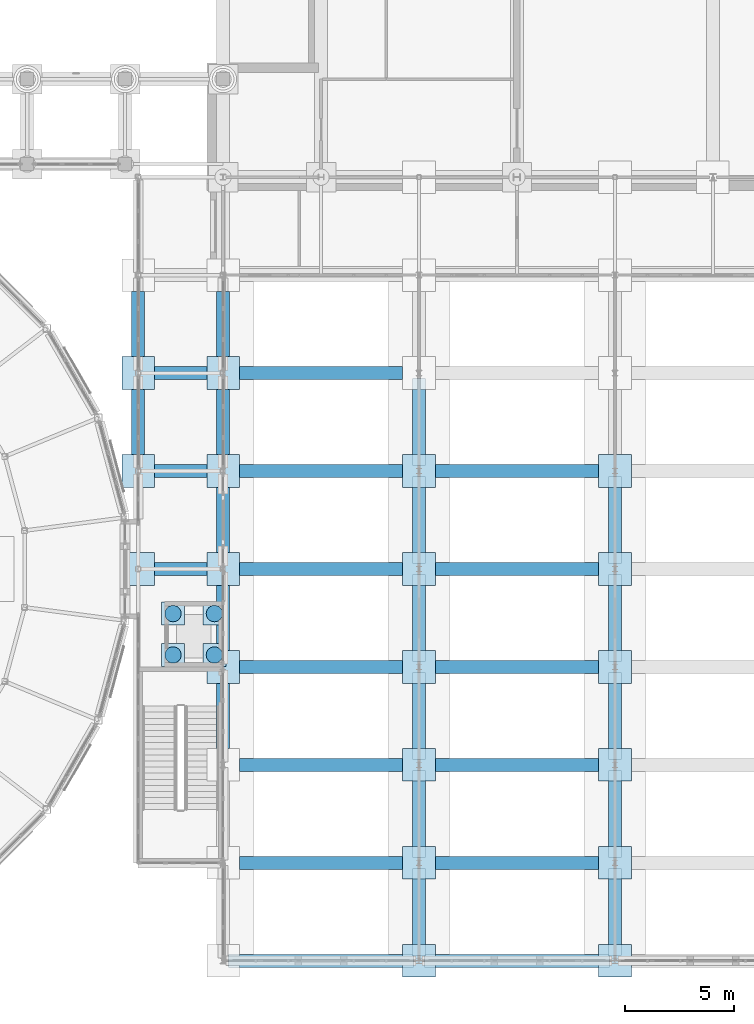
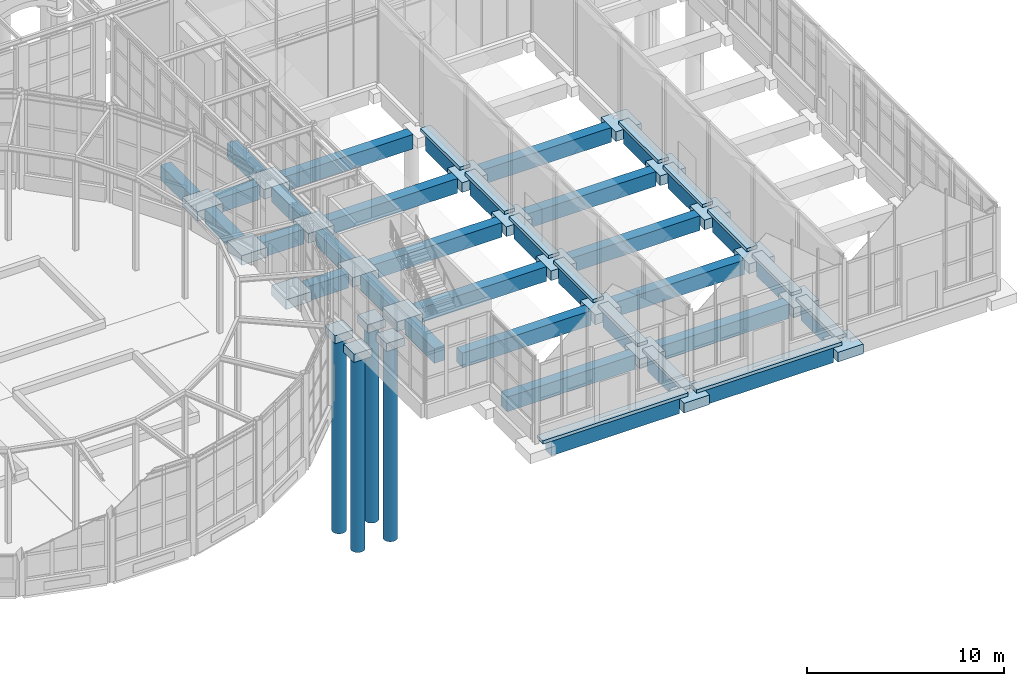
# One storey, part 2 of 106: 70 footings, 4 piles.
"""IFC4 building model written with IfcOpenShell, lengths in metres."""

from ifc_helpers import new_model, si_unit, direction, frame, origin, origin_2d, place, context, subcontext, project, spatial, polyline, circle, outline, extrude, material, material_profile, profile_set, type_object, element, save


model = new_model("IFC4")

# Units and contexts
model_context = context("Model", 3, precision=1e-05, world=origin(), true_north=direction((0.0, 1.0)))
body_context = subcontext(model_context, "Body", "Model", "MODEL_VIEW")
ifc_project = project(units=[si_unit("LENGTHUNIT", "METRE"), si_unit("AREAUNIT", "SQUARE_METRE"), si_unit("VOLUMEUNIT", "CUBIC_METRE"), si_unit("PLANEANGLEUNIT", "RADIAN"), si_unit("MASSUNIT", "GRAM", prefix="KILO")], contexts=[model_context])

# Site, building, storey
site_placement = place(None, origin())
site = spatial("IfcSite", under=ifc_project, at=site_placement, CompositionType="ELEMENT")
building_placement = place(site_placement, origin())
building = spatial("IfcBuilding", under=site, at=building_placement, Name="Hortulan Conservatory and Botanical Research Centre", CompositionType="ELEMENT")
storey_placement = place(building_placement, origin())
storey = spatial("IfcBuildingStorey", under=building, at=storey_placement, Name="L00", CompositionType="ELEMENT", Elevation=0.0)

# Piles
ifc_material = material(Name="Concrete N40 (40 MPa, AS 3600)", Category="concrete")
ifc_material_profile = material_profile(ifc_material, circle(Radius=0.375, at=origin_2d()), Name="Bored pile 750 diameter")
ifc_profile_set = profile_set([ifc_material_profile], Name="Concrete N40 (40 MPa, AS 3600)")
pile_type = type_object("IfcPileType", Name="Bored Pile 750", PredefinedType="BORED", material=ifc_profile_set)
for number, where, z_axis, x_axis, name in (
    (1, (74.199951171875, 14.050048828125, -2.35009765625), (0.0, 0.0, -1.0), (1.0, 0.0, 0.0), "Bored pile 750"),
    (2, (76.10009765625, 14.050048828125, -2.35009765625), (0.0, 0.0, -1.0), (1.0, 0.0, 0.0), "Bored pile 750"),
    (3, (74.199951171875, 15.949951171875, -2.35009765625), (0.0, 0.0, -1.0), (1.0, 0.0, 0.0), "Bored pile 750"),
    (4, (76.10009765625, 15.949951171875, -2.35009765625), (0.0, 0.0, -1.0), (1.0, 0.0, 0.0), "Bored pile 750"),
):
    element("IfcPile", number, at=place(storey_placement, frame(where, z_axis=z_axis, x_axis=x_axis)), inside=storey, type_object=pile_type, Name=name, PredefinedType="BORED", context=body_context, shape_type="SweptSolid", body=[
        extrude(circle(Radius=0.375, at=origin_2d()), origin(), (0.0, 0.0, 1.0), 12.10009765625),
    ])

# Footings
footing_type_1 = type_object("IfcFootingType", Name="Ground Beam 600x900", PredefinedType="FOOTING_BEAM", material=ifc_material)
footing_1_placement = place(storey_placement, frame((0.0, 0.0, -1.10009765625)))
element("IfcFooting", 5, at=footing_1_placement, inside=storey, type_object=footing_type_1, Name="Ground beam", PredefinedType="FOOTING_BEAM", context=body_context, shape_type="SweptSolid", body=[
    extrude(outline(polyline([(84.75, -0.300048828125), (84.75, 0.300048828125), (77.25, 0.300048828125), (77.25, -0.300048828125), (84.75, -0.300048828125)])), origin(), (0.0, 0.0, 1.0), 0.900146484375),
])
footing_2_placement = place(storey_placement, frame((0.0, 0.0, -1.10009765625)))
element("IfcFooting", 6, at=footing_2_placement, inside=storey, type_object=footing_type_1, Name="Ground beam", PredefinedType="FOOTING_BEAM", context=body_context, shape_type="SweptSolid", body=[
    extrude(outline(polyline([(93.75, -0.300048828125), (93.75, 0.300048828125), (86.25, 0.300048828125), (86.25, -0.300048828125), (93.75, -0.300048828125)])), origin(), (0.0, 0.0, 1.0), 0.900146484375),
])
footing_3_placement = place(storey_placement, frame((0.0, 0.0, -1.10009765625)))
element("IfcFooting", 7, at=footing_3_placement, inside=storey, type_object=footing_type_1, Name="Ground beam", PredefinedType="FOOTING_BEAM", context=body_context, shape_type="SweptSolid", body=[
    extrude(outline(polyline([(84.75, 4.199951171875), (84.75, 4.800048828125), (77.25, 4.800048828125), (77.25, 4.199951171875), (84.75, 4.199951171875)])), origin(), (0.0, 0.0, 1.0), 0.900146484375),
])
footing_4_placement = place(storey_placement, frame((0.0, 0.0, -1.10009765625)))
element("IfcFooting", 8, at=footing_4_placement, inside=storey, type_object=footing_type_1, Name="Ground beam", PredefinedType="FOOTING_BEAM", context=body_context, shape_type="SweptSolid", body=[
    extrude(outline(polyline([(93.75, 4.199951171875), (93.75, 4.800048828125), (86.25, 4.800048828125), (86.25, 4.199951171875), (93.75, 4.199951171875)])), origin(), (0.0, 0.0, 1.0), 0.900146484375),
])
footing_5_placement = place(storey_placement, frame((0.0, 0.0, -1.10009765625)))
element("IfcFooting", 9, at=footing_5_placement, inside=storey, type_object=footing_type_1, Name="Ground beam", PredefinedType="FOOTING_BEAM", context=body_context, shape_type="SweptSolid", body=[
    extrude(outline(polyline([(84.75, 8.699951171875), (84.75, 9.300048828125), (77.25, 9.300048828125), (77.25, 8.699951171875), (84.75, 8.699951171875)])), origin(), (0.0, 0.0, 1.0), 0.900146484375),
])
footing_6_placement = place(storey_placement, frame((0.0, 0.0, -1.10009765625)))
element("IfcFooting", 10, at=footing_6_placement, inside=storey, type_object=footing_type_1, Name="Ground beam", PredefinedType="FOOTING_BEAM", context=body_context, shape_type="SweptSolid", body=[
    extrude(outline(polyline([(93.75, 8.699951171875), (93.75, 9.300048828125), (86.25, 9.300048828125), (86.25, 8.699951171875), (93.75, 8.699951171875)])), origin(), (0.0, 0.0, 1.0), 0.900146484375),
])
footing_7_placement = place(storey_placement, frame((0.0, 0.0, -1.10009765625)))
element("IfcFooting", 11, at=footing_7_placement, inside=storey, type_object=footing_type_1, Name="Ground beam", PredefinedType="FOOTING_BEAM", context=body_context, shape_type="SweptSolid", body=[
    extrude(outline(polyline([(84.75, 13.199951171875), (84.75, 13.800048828125), (77.25, 13.800048828125), (77.25, 13.199951171875), (84.75, 13.199951171875)])), origin(), (0.0, 0.0, 1.0), 0.900146484375),
])
footing_8_placement = place(storey_placement, frame((0.0, 0.0, -1.10009765625)))
element("IfcFooting", 12, at=footing_8_placement, inside=storey, type_object=footing_type_1, Name="Ground beam", PredefinedType="FOOTING_BEAM", context=body_context, shape_type="SweptSolid", body=[
    extrude(outline(polyline([(93.75, 13.199951171875), (93.75, 13.800048828125), (86.25, 13.800048828125), (86.25, 13.199951171875), (93.75, 13.199951171875)])), origin(), (0.0, 0.0, 1.0), 0.900146484375),
])
footing_9_placement = place(storey_placement, frame((0.0, 0.0, -1.10009765625)))
element("IfcFooting", 13, at=footing_9_placement, inside=storey, type_object=footing_type_1, Name="Ground beam", PredefinedType="FOOTING_BEAM", context=body_context, shape_type="SweptSolid", body=[
    extrude(outline(polyline([(75.75, 17.699951171875), (75.75, 18.300048828125), (73.35009765625, 18.300048828125), (73.35009765625, 17.699951171875), (75.75, 17.699951171875)])), origin(), (0.0, 0.0, 1.0), 0.900146484375),
])
footing_10_placement = place(storey_placement, frame((0.0, 0.0, -1.10009765625)))
element("IfcFooting", 14, at=footing_10_placement, inside=storey, type_object=footing_type_1, Name="Ground beam", PredefinedType="FOOTING_BEAM", context=body_context, shape_type="SweptSolid", body=[
    extrude(outline(polyline([(84.75, 17.699951171875), (84.75, 18.300048828125), (77.25, 18.300048828125), (77.25, 17.699951171875), (84.75, 17.699951171875)])), origin(), (0.0, 0.0, 1.0), 0.900146484375),
])
footing_11_placement = place(storey_placement, frame((0.0, 0.0, -1.10009765625)))
element("IfcFooting", 15, at=footing_11_placement, inside=storey, type_object=footing_type_1, Name="Ground beam", PredefinedType="FOOTING_BEAM", context=body_context, shape_type="SweptSolid", body=[
    extrude(outline(polyline([(93.75, 17.699951171875), (93.75, 18.300048828125), (86.25, 18.300048828125), (86.25, 17.699951171875), (93.75, 17.699951171875)])), origin(), (0.0, 0.0, 1.0), 0.900146484375),
])
footing_12_placement = place(storey_placement, frame((0.0, 0.0, -1.10009765625)))
element("IfcFooting", 16, at=footing_12_placement, inside=storey, type_object=footing_type_1, Name="Ground beam", PredefinedType="FOOTING_BEAM", context=body_context, shape_type="SweptSolid", body=[
    extrude(outline(polyline([(75.75, 22.199951171875), (75.75, 22.800048828125), (73.35009765625, 22.800048828125), (73.35009765625, 22.199951171875), (75.75, 22.199951171875)])), origin(), (0.0, 0.0, 1.0), 0.900146484375),
])
footing_13_placement = place(storey_placement, frame((0.0, 0.0, -1.10009765625)))
element("IfcFooting", 17, at=footing_13_placement, inside=storey, type_object=footing_type_1, Name="Ground beam", PredefinedType="FOOTING_BEAM", context=body_context, shape_type="SweptSolid", body=[
    extrude(outline(polyline([(84.75, 22.199951171875), (84.75, 22.800048828125), (77.25, 22.800048828125), (77.25, 22.199951171875), (84.75, 22.199951171875)])), origin(), (0.0, 0.0, 1.0), 0.900146484375),
])
footing_14_placement = place(storey_placement, frame((0.0, 0.0, -1.10009765625)))
element("IfcFooting", 18, at=footing_14_placement, inside=storey, type_object=footing_type_1, Name="Ground beam", PredefinedType="FOOTING_BEAM", context=body_context, shape_type="SweptSolid", body=[
    extrude(outline(polyline([(93.75, 22.199951171875), (93.75, 22.800048828125), (86.25, 22.800048828125), (86.25, 22.199951171875), (93.75, 22.199951171875)])), origin(), (0.0, 0.0, 1.0), 0.900146484375),
])
footing_15_placement = place(storey_placement, frame((0.0, 0.0, -1.10009765625)))
element("IfcFooting", 19, at=footing_15_placement, inside=storey, type_object=footing_type_1, Name="Ground beam", PredefinedType="FOOTING_BEAM", context=body_context, shape_type="SweptSolid", body=[
    extrude(outline(polyline([(75.75, 26.699951171875), (75.75, 27.300048828125), (73.35009765625, 27.300048828125), (73.35009765625, 26.699951171875), (75.75, 26.699951171875)])), origin(), (0.0, 0.0, 1.0), 0.900146484375),
])
footing_16_placement = place(storey_placement, frame((0.0, 0.0, -1.10009765625)))
element("IfcFooting", 20, at=footing_16_placement, inside=storey, type_object=footing_type_1, Name="Ground beam", PredefinedType="FOOTING_BEAM", context=body_context, shape_type="SweptSolid", body=[
    extrude(outline(polyline([(84.75, 26.699951171875), (84.75, 27.300048828125), (77.25, 27.300048828125), (77.25, 26.699951171875), (84.75, 26.699951171875)])), origin(), (0.0, 0.0, 1.0), 0.900146484375),
])
footing_17_placement = place(storey_placement, frame((0.0, 0.0, -1.10009765625)))
element("IfcFooting", 21, at=footing_17_placement, inside=storey, type_object=footing_type_1, Name="Ground beam", PredefinedType="FOOTING_BEAM", context=body_context, shape_type="SweptSolid", body=[
    extrude(outline(polyline([(72.89990234375, 23.25), (72.89990234375, 26.25), (72.300048828125, 26.25), (72.300048828125, 23.25), (72.89990234375, 23.25)])), origin(), (0.0, 0.0, 1.0), 0.900146484375),
])
footing_18_placement = place(storey_placement, frame((0.0, 0.0, -1.10009765625)))
element("IfcFooting", 22, at=footing_18_placement, inside=storey, type_object=footing_type_1, Name="Ground beam", PredefinedType="FOOTING_BEAM", context=body_context, shape_type="SweptSolid", body=[
    extrude(outline(polyline([(72.89990234375, 27.75), (72.89990234375, 30.75), (72.300048828125, 30.75), (72.300048828125, 27.75), (72.89990234375, 27.75)])), origin(), (0.0, 0.0, 1.0), 0.900146484375),
])
footing_19_placement = place(storey_placement, frame((0.0, 0.0, -1.10009765625)))
element("IfcFooting", 23, at=footing_19_placement, inside=storey, type_object=footing_type_1, Name="Ground beam", PredefinedType="FOOTING_BEAM", context=body_context, shape_type="SweptSolid", body=[
    extrude(outline(polyline([(76.800048828125, 9.75), (76.800048828125, 12.75), (76.199951171875, 12.75), (76.199951171875, 9.75), (76.800048828125, 9.75)])), origin(), (0.0, 0.0, 1.0), 0.900146484375),
])
footing_20_placement = place(storey_placement, frame((0.0, 0.0, -1.10009765625)))
element("IfcFooting", 24, at=footing_20_placement, inside=storey, type_object=footing_type_1, Name="Ground beam", PredefinedType="FOOTING_BEAM", context=body_context, shape_type="SweptSolid", body=[
    extrude(outline(polyline([(76.800048828125, 14.25), (76.800048828125, 17.25), (76.199951171875, 17.25), (76.199951171875, 14.25), (76.800048828125, 14.25)])), origin(), (0.0, 0.0, 1.0), 0.900146484375),
])
footing_21_placement = place(storey_placement, frame((0.0, 0.0, -1.10009765625)))
element("IfcFooting", 25, at=footing_21_placement, inside=storey, type_object=footing_type_1, Name="Ground beam", PredefinedType="FOOTING_BEAM", context=body_context, shape_type="SweptSolid", body=[
    extrude(outline(polyline([(76.800048828125, 18.75), (76.800048828125, 21.75), (76.199951171875, 21.75), (76.199951171875, 18.75), (76.800048828125, 18.75)])), origin(), (0.0, 0.0, 1.0), 0.900146484375),
])
footing_22_placement = place(storey_placement, frame((0.0, 0.0, -1.10009765625)))
element("IfcFooting", 26, at=footing_22_placement, inside=storey, type_object=footing_type_1, Name="Ground beam", PredefinedType="FOOTING_BEAM", context=body_context, shape_type="SweptSolid", body=[
    extrude(outline(polyline([(76.800048828125, 23.25), (76.800048828125, 26.25), (76.199951171875, 26.25), (76.199951171875, 23.25), (76.800048828125, 23.25)])), origin(), (0.0, 0.0, 1.0), 0.900146484375),
])
footing_23_placement = place(storey_placement, frame((0.0, 0.0, -1.10009765625)))
element("IfcFooting", 27, at=footing_23_placement, inside=storey, type_object=footing_type_1, Name="Ground beam", PredefinedType="FOOTING_BEAM", context=body_context, shape_type="SweptSolid", body=[
    extrude(outline(polyline([(76.800048828125, 27.75), (76.800048828125, 30.75), (76.199951171875, 30.75), (76.199951171875, 27.75), (76.800048828125, 27.75)])), origin(), (0.0, 0.0, 1.0), 0.900146484375),
])
footing_24_placement = place(storey_placement, frame((0.0, 0.0, -1.10009765625)))
element("IfcFooting", 28, at=footing_24_placement, inside=storey, type_object=footing_type_1, Name="Ground beam", PredefinedType="FOOTING_BEAM", context=body_context, shape_type="SweptSolid", body=[
    extrude(outline(polyline([(85.800048828125, 0.75), (85.800048828125, 3.75), (85.199951171875, 3.75), (85.199951171875, 0.75), (85.800048828125, 0.75)])), origin(), (0.0, 0.0, 1.0), 0.900146484375),
])
footing_25_placement = place(storey_placement, frame((0.0, 0.0, -1.10009765625)))
element("IfcFooting", 29, at=footing_25_placement, inside=storey, type_object=footing_type_1, Name="Ground beam", PredefinedType="FOOTING_BEAM", context=body_context, shape_type="SweptSolid", body=[
    extrude(outline(polyline([(85.800048828125, 5.25), (85.800048828125, 8.25), (85.199951171875, 8.25), (85.199951171875, 5.25), (85.800048828125, 5.25)])), origin(), (0.0, 0.0, 1.0), 0.900146484375),
])
footing_26_placement = place(storey_placement, frame((0.0, 0.0, -1.10009765625)))
element("IfcFooting", 30, at=footing_26_placement, inside=storey, type_object=footing_type_1, Name="Ground beam", PredefinedType="FOOTING_BEAM", context=body_context, shape_type="SweptSolid", body=[
    extrude(outline(polyline([(85.800048828125, 9.75), (85.800048828125, 12.75), (85.199951171875, 12.75), (85.199951171875, 9.75), (85.800048828125, 9.75)])), origin(), (0.0, 0.0, 1.0), 0.900146484375),
])
footing_27_placement = place(storey_placement, frame((0.0, 0.0, -1.10009765625)))
element("IfcFooting", 31, at=footing_27_placement, inside=storey, type_object=footing_type_1, Name="Ground beam", PredefinedType="FOOTING_BEAM", context=body_context, shape_type="SweptSolid", body=[
    extrude(outline(polyline([(85.800048828125, 14.25), (85.800048828125, 17.25), (85.199951171875, 17.25), (85.199951171875, 14.25), (85.800048828125, 14.25)])), origin(), (0.0, 0.0, 1.0), 0.900146484375),
])
footing_28_placement = place(storey_placement, frame((0.0, 0.0, -1.10009765625)))
element("IfcFooting", 32, at=footing_28_placement, inside=storey, type_object=footing_type_1, Name="Ground beam", PredefinedType="FOOTING_BEAM", context=body_context, shape_type="SweptSolid", body=[
    extrude(outline(polyline([(85.800048828125, 18.75), (85.800048828125, 21.75), (85.199951171875, 21.75), (85.199951171875, 18.75), (85.800048828125, 18.75)])), origin(), (0.0, 0.0, 1.0), 0.900146484375),
])
footing_29_placement = place(storey_placement, frame((0.0, 0.0, -1.10009765625)))
element("IfcFooting", 33, at=footing_29_placement, inside=storey, type_object=footing_type_1, Name="Ground beam", PredefinedType="FOOTING_BEAM", context=body_context, shape_type="SweptSolid", body=[
    extrude(outline(polyline([(85.800048828125, 23.25), (85.800048828125, 26.25), (85.199951171875, 26.25), (85.199951171875, 23.25), (85.800048828125, 23.25)])), origin(), (0.0, 0.0, 1.0), 0.900146484375),
])
footing_30_placement = place(storey_placement, frame((0.0, 0.0, -1.10009765625)))
element("IfcFooting", 34, at=footing_30_placement, inside=storey, type_object=footing_type_1, Name="Ground beam", PredefinedType="FOOTING_BEAM", context=body_context, shape_type="SweptSolid", body=[
    extrude(outline(polyline([(94.800048828125, 0.75), (94.800048828125, 3.75), (94.199951171875, 3.75), (94.199951171875, 0.75), (94.800048828125, 0.75)])), origin(), (0.0, 0.0, 1.0), 0.900146484375),
])
footing_31_placement = place(storey_placement, frame((0.0, 0.0, -1.10009765625)))
element("IfcFooting", 35, at=footing_31_placement, inside=storey, type_object=footing_type_1, Name="Ground beam", PredefinedType="FOOTING_BEAM", context=body_context, shape_type="SweptSolid", body=[
    extrude(outline(polyline([(94.800048828125, 5.25), (94.800048828125, 8.25), (94.199951171875, 8.25), (94.199951171875, 5.25), (94.800048828125, 5.25)])), origin(), (0.0, 0.0, 1.0), 0.900146484375),
])
footing_32_placement = place(storey_placement, frame((0.0, 0.0, -1.10009765625)))
element("IfcFooting", 36, at=footing_32_placement, inside=storey, type_object=footing_type_1, Name="Ground beam", PredefinedType="FOOTING_BEAM", context=body_context, shape_type="SweptSolid", body=[
    extrude(outline(polyline([(94.800048828125, 9.75), (94.800048828125, 12.75), (94.199951171875, 12.75), (94.199951171875, 9.75), (94.800048828125, 9.75)])), origin(), (0.0, 0.0, 1.0), 0.900146484375),
])
footing_33_placement = place(storey_placement, frame((0.0, 0.0, -1.10009765625)))
element("IfcFooting", 37, at=footing_33_placement, inside=storey, type_object=footing_type_1, Name="Ground beam", PredefinedType="FOOTING_BEAM", context=body_context, shape_type="SweptSolid", body=[
    extrude(outline(polyline([(94.800048828125, 14.25), (94.800048828125, 17.25), (94.199951171875, 17.25), (94.199951171875, 14.25), (94.800048828125, 14.25)])), origin(), (0.0, 0.0, 1.0), 0.900146484375),
])
footing_34_placement = place(storey_placement, frame((0.0, 0.0, -1.10009765625)))
element("IfcFooting", 38, at=footing_34_placement, inside=storey, type_object=footing_type_1, Name="Ground beam", PredefinedType="FOOTING_BEAM", context=body_context, shape_type="SweptSolid", body=[
    extrude(outline(polyline([(94.800048828125, 18.75), (94.800048828125, 21.75), (94.199951171875, 21.75), (94.199951171875, 18.75), (94.800048828125, 18.75)])), origin(), (0.0, 0.0, 1.0), 0.900146484375),
])
footing_type_2 = type_object("IfcFootingType", Name="Pad Footing 1500x1500x600", PredefinedType="PAD_FOOTING", material=ifc_material)
footing_35_placement = place(storey_placement, frame((0.0, 0.0, -0.800048828125)))
element("IfcFooting", 39, at=footing_35_placement, inside=storey, type_object=footing_type_2, Name="Pad footing", PredefinedType="PAD_FOOTING", context=body_context, shape_type="SweptSolid", body=[
    extrude(outline(polyline([(77.25, 12.75), (77.25, 14.25), (75.75, 14.25), (75.75, 12.75), (77.25, 12.75)])), origin(), (0.0, 0.0, 1.0), 0.60009765625),
])
footing_36_placement = place(storey_placement, frame((0.0, 0.0, -0.800048828125)))
element("IfcFooting", 40, at=footing_36_placement, inside=storey, type_object=footing_type_2, Name="Pad footing", PredefinedType="PAD_FOOTING", context=body_context, shape_type="SweptSolid", body=[
    extrude(outline(polyline([(77.25, 17.25), (77.25, 18.75), (75.75, 18.75), (75.75, 17.25), (77.25, 17.25)])), origin(), (0.0, 0.0, 1.0), 0.60009765625),
])
footing_37_placement = place(storey_placement, frame((0.0, 0.0, -0.800048828125)))
element("IfcFooting", 41, at=footing_37_placement, inside=storey, type_object=footing_type_2, Name="Pad footing", PredefinedType="PAD_FOOTING", context=body_context, shape_type="SweptSolid", body=[
    extrude(outline(polyline([(77.25, 21.75), (77.25, 23.25), (75.75, 23.25), (75.75, 21.75), (77.25, 21.75)])), origin(), (0.0, 0.0, 1.0), 0.60009765625),
])
footing_38_placement = place(storey_placement, frame((0.0, 0.0, -0.800048828125)))
element("IfcFooting", 42, at=footing_38_placement, inside=storey, type_object=footing_type_2, Name="Pad footing", PredefinedType="PAD_FOOTING", context=body_context, shape_type="SweptSolid", body=[
    extrude(outline(polyline([(77.25, 26.25), (77.25, 27.75), (75.75, 27.75), (75.75, 26.25), (77.25, 26.25)])), origin(), (0.0, 0.0, 1.0), 0.60009765625),
])
footing_39_placement = place(storey_placement, frame((0.0, 0.0, -0.800048828125)))
element("IfcFooting", 43, at=footing_39_placement, inside=storey, type_object=footing_type_2, Name="Pad footing", PredefinedType="PAD_FOOTING", context=body_context, shape_type="SweptSolid", body=[
    extrude(outline(polyline([(86.25, -0.75), (86.25, 0.75), (84.75, 0.75), (84.75, -0.75), (86.25, -0.75)])), origin(), (0.0, 0.0, 1.0), 0.60009765625),
])
footing_40_placement = place(storey_placement, frame((0.0, 0.0, -0.800048828125)))
element("IfcFooting", 44, at=footing_40_placement, inside=storey, type_object=footing_type_2, Name="Pad footing", PredefinedType="PAD_FOOTING", context=body_context, shape_type="SweptSolid", body=[
    extrude(outline(polyline([(86.25, 3.75), (86.25, 5.25), (84.75, 5.25), (84.75, 3.75), (86.25, 3.75)])), origin(), (0.0, 0.0, 1.0), 0.60009765625),
])
footing_41_placement = place(storey_placement, frame((0.0, 0.0, -0.800048828125)))
element("IfcFooting", 45, at=footing_41_placement, inside=storey, type_object=footing_type_2, Name="Pad footing", PredefinedType="PAD_FOOTING", context=body_context, shape_type="SweptSolid", body=[
    extrude(outline(polyline([(86.25, 8.25), (86.25, 9.75), (84.75, 9.75), (84.75, 8.25), (86.25, 8.25)])), origin(), (0.0, 0.0, 1.0), 0.60009765625),
])
footing_42_placement = place(storey_placement, frame((0.0, 0.0, -0.800048828125)))
element("IfcFooting", 46, at=footing_42_placement, inside=storey, type_object=footing_type_2, Name="Pad footing", PredefinedType="PAD_FOOTING", context=body_context, shape_type="SweptSolid", body=[
    extrude(outline(polyline([(86.25, 12.75), (86.25, 14.25), (84.75, 14.25), (84.75, 12.75), (86.25, 12.75)])), origin(), (0.0, 0.0, 1.0), 0.60009765625),
])
footing_43_placement = place(storey_placement, frame((0.0, 0.0, -0.800048828125)))
element("IfcFooting", 47, at=footing_43_placement, inside=storey, type_object=footing_type_2, Name="Pad footing", PredefinedType="PAD_FOOTING", context=body_context, shape_type="SweptSolid", body=[
    extrude(outline(polyline([(86.25, 17.25), (86.25, 18.75), (84.75, 18.75), (84.75, 17.25), (86.25, 17.25)])), origin(), (0.0, 0.0, 1.0), 0.60009765625),
])
footing_44_placement = place(storey_placement, frame((0.0, 0.0, -0.800048828125)))
element("IfcFooting", 48, at=footing_44_placement, inside=storey, type_object=footing_type_2, Name="Pad footing", PredefinedType="PAD_FOOTING", context=body_context, shape_type="SweptSolid", body=[
    extrude(outline(polyline([(86.25, 21.75), (86.25, 23.25), (84.75, 23.25), (84.75, 21.75), (86.25, 21.75)])), origin(), (0.0, 0.0, 1.0), 0.60009765625),
])
footing_45_placement = place(storey_placement, frame((0.0, 0.0, -0.800048828125)))
element("IfcFooting", 49, at=footing_45_placement, inside=storey, type_object=footing_type_2, Name="Pad footing", PredefinedType="PAD_FOOTING", context=body_context, shape_type="SweptSolid", body=[
    extrude(outline(polyline([(95.25, -0.75), (95.25, 0.75), (93.75, 0.75), (93.75, -0.75), (95.25, -0.75)])), origin(), (0.0, 0.0, 1.0), 0.60009765625),
])
footing_46_placement = place(storey_placement, frame((0.0, 0.0, -0.800048828125)))
element("IfcFooting", 50, at=footing_46_placement, inside=storey, type_object=footing_type_2, Name="Pad footing", PredefinedType="PAD_FOOTING", context=body_context, shape_type="SweptSolid", body=[
    extrude(outline(polyline([(95.25, 3.75), (95.25, 5.25), (93.75, 5.25), (93.75, 3.75), (95.25, 3.75)])), origin(), (0.0, 0.0, 1.0), 0.60009765625),
])
footing_47_placement = place(storey_placement, frame((0.0, 0.0, -0.800048828125)))
element("IfcFooting", 51, at=footing_47_placement, inside=storey, type_object=footing_type_2, Name="Pad footing", PredefinedType="PAD_FOOTING", context=body_context, shape_type="SweptSolid", body=[
    extrude(outline(polyline([(95.25, 8.25), (95.25, 9.75), (93.75, 9.75), (93.75, 8.25), (95.25, 8.25)])), origin(), (0.0, 0.0, 1.0), 0.60009765625),
])
footing_48_placement = place(storey_placement, frame((0.0, 0.0, -0.800048828125)))
element("IfcFooting", 52, at=footing_48_placement, inside=storey, type_object=footing_type_2, Name="Pad footing", PredefinedType="PAD_FOOTING", context=body_context, shape_type="SweptSolid", body=[
    extrude(outline(polyline([(95.25, 12.75), (95.25, 14.25), (93.75, 14.25), (93.75, 12.75), (95.25, 12.75)])), origin(), (0.0, 0.0, 1.0), 0.60009765625),
])
footing_49_placement = place(storey_placement, frame((0.0, 0.0, -0.800048828125)))
element("IfcFooting", 53, at=footing_49_placement, inside=storey, type_object=footing_type_2, Name="Pad footing", PredefinedType="PAD_FOOTING", context=body_context, shape_type="SweptSolid", body=[
    extrude(outline(polyline([(95.25, 17.25), (95.25, 18.75), (93.75, 18.75), (93.75, 17.25), (95.25, 17.25)])), origin(), (0.0, 0.0, 1.0), 0.60009765625),
])
footing_50_placement = place(storey_placement, frame((0.0, 0.0, -0.800048828125)))
element("IfcFooting", 54, at=footing_50_placement, inside=storey, type_object=footing_type_2, Name="Pad footing", PredefinedType="PAD_FOOTING", context=body_context, shape_type="SweptSolid", body=[
    extrude(outline(polyline([(95.25, 21.75), (95.25, 23.25), (93.75, 23.25), (93.75, 21.75), (95.25, 21.75)])), origin(), (0.0, 0.0, 1.0), 0.60009765625),
])
footing_51_placement = place(storey_placement, frame((0.0, 0.0, -0.800048828125)))
element("IfcFooting", 55, at=footing_51_placement, inside=storey, type_object=footing_type_2, Name="Pad footing", PredefinedType="PAD_FOOTING", context=body_context, shape_type="SweptSolid", body=[
    extrude(outline(polyline([(73.35009765625, 17.25), (73.35009765625, 18.75), (71.85009765625, 18.75), (71.85009765625, 17.25), (73.35009765625, 17.25)])), origin(), (0.0, 0.0, 1.0), 0.60009765625),
])
footing_52_placement = place(storey_placement, frame((0.0, 0.0, -0.800048828125)))
element("IfcFooting", 56, at=footing_52_placement, inside=storey, type_object=footing_type_2, Name="Pad footing", PredefinedType="PAD_FOOTING", context=body_context, shape_type="SweptSolid", body=[
    extrude(outline(polyline([(73.35009765625, 21.75), (73.35009765625, 23.25), (71.85009765625, 23.25), (71.85009765625, 21.75), (73.35009765625, 21.75)])), origin(), (0.0, 0.0, 1.0), 0.60009765625),
])
footing_53_placement = place(storey_placement, frame((0.0, 0.0, -0.800048828125)))
element("IfcFooting", 57, at=footing_53_placement, inside=storey, type_object=footing_type_2, Name="Pad footing", PredefinedType="PAD_FOOTING", context=body_context, shape_type="SweptSolid", body=[
    extrude(outline(polyline([(73.35009765625, 26.25), (73.35009765625, 27.75), (71.85009765625, 27.75), (71.85009765625, 26.25), (73.35009765625, 26.25)])), origin(), (0.0, 0.0, 1.0), 0.60009765625),
])
footing_type_3 = type_object("IfcFootingType", Name="Pile Cap 1050x1050x500", PredefinedType="PILE_CAP", material=ifc_material)
footing_54_placement = place(storey_placement, frame((0.0, 0.0, -2.449951171875)))
element("IfcFooting", 58, at=footing_54_placement, inside=storey, type_object=footing_type_3, Name="Lift pit corner pile cap", PredefinedType="PILE_CAP", context=body_context, shape_type="SweptSolid", body=[
    extrude(outline(polyline([(73.675048828125, 13.52490234375), (74.72509765625, 13.52490234375), (74.72509765625, 14.574951171875), (73.675048828125, 14.574951171875), (73.675048828125, 13.52490234375)])), origin(), (0.0, 0.0, 1.0), 0.5),
])
footing_55_placement = place(storey_placement, frame((0.0, 0.0, -2.449951171875)))
element("IfcFooting", 59, at=footing_55_placement, inside=storey, type_object=footing_type_3, Name="Lift pit corner pile cap", PredefinedType="PILE_CAP", context=body_context, shape_type="SweptSolid", body=[
    extrude(outline(polyline([(75.574951171875, 13.52490234375), (76.625, 13.52490234375), (76.625, 14.574951171875), (75.574951171875, 14.574951171875), (75.574951171875, 13.52490234375)])), origin(), (0.0, 0.0, 1.0), 0.5),
])
footing_56_placement = place(storey_placement, frame((0.0, 0.0, -2.449951171875)))
element("IfcFooting", 60, at=footing_56_placement, inside=storey, type_object=footing_type_3, Name="Lift pit corner pile cap", PredefinedType="PILE_CAP", context=body_context, shape_type="SweptSolid", body=[
    extrude(outline(polyline([(73.675048828125, 15.425048828125), (74.72509765625, 15.425048828125), (74.72509765625, 16.47509765625), (73.675048828125, 16.47509765625), (73.675048828125, 15.425048828125)])), origin(), (0.0, 0.0, 1.0), 0.5),
])
footing_57_placement = place(storey_placement, frame((0.0, 0.0, -2.449951171875)))
element("IfcFooting", 61, at=footing_57_placement, inside=storey, type_object=footing_type_3, Name="Lift pit corner pile cap", PredefinedType="PILE_CAP", context=body_context, shape_type="SweptSolid", body=[
    extrude(outline(polyline([(75.574951171875, 15.425048828125), (76.625, 15.425048828125), (76.625, 16.47509765625), (75.574951171875, 16.47509765625), (75.574951171875, 15.425048828125)])), origin(), (0.0, 0.0, 1.0), 0.5),
])
footing_type_4 = type_object("IfcFootingType", Name="Strip Footing 600x200", PredefinedType="FOOTING_BEAM", material=ifc_material)
footing_58_placement = place(storey_placement, frame((0.0, 0.0, -0.199951171875)))
element("IfcFooting", 62, at=footing_58_placement, inside=storey, type_object=footing_type_4, Name="Gable strip footing", PredefinedType="FOOTING_BEAM", context=body_context, shape_type="SweptSolid", body=[
    extrude(outline(polyline([(85.25, -0.300048828125), (85.25, 0.300048828125), (76.75, 0.300048828125), (76.75, -0.300048828125), (85.25, -0.300048828125)])), origin(), (0.0, 0.0, 1.0), 0.199951171875),
])
footing_59_placement = place(storey_placement, frame((0.0, 0.0, -0.199951171875)))
element("IfcFooting", 63, at=footing_59_placement, inside=storey, type_object=footing_type_4, Name="Gable strip footing", PredefinedType="FOOTING_BEAM", context=body_context, shape_type="SweptSolid", body=[
    extrude(outline(polyline([(94.25, -0.300048828125), (94.25, 0.300048828125), (85.75, 0.300048828125), (85.75, -0.300048828125), (94.25, -0.300048828125)])), origin(), (0.0, 0.0, 1.0), 0.199951171875),
])
footing_60_placement = place(storey_placement, frame((0.0, 0.0, -0.199951171875)))
element("IfcFooting", 64, at=footing_60_placement, inside=storey, type_object=footing_type_4, Name="Partition strip footing", PredefinedType="FOOTING_BEAM", context=body_context, shape_type="SweptSolid", body=[
    extrude(outline(polyline([(85.800048828125, 0.25), (85.800048828125, 4.25), (85.199951171875, 4.25), (85.199951171875, 0.25), (85.800048828125, 0.25)])), origin(), (0.0, 0.0, 1.0), 0.199951171875),
])
footing_61_placement = place(storey_placement, frame((0.0, 0.0, -0.199951171875)))
element("IfcFooting", 65, at=footing_61_placement, inside=storey, type_object=footing_type_4, Name="Partition strip footing", PredefinedType="FOOTING_BEAM", context=body_context, shape_type="SweptSolid", body=[
    extrude(outline(polyline([(85.800048828125, 4.75), (85.800048828125, 8.75), (85.199951171875, 8.75), (85.199951171875, 4.75), (85.800048828125, 4.75)])), origin(), (0.0, 0.0, 1.0), 0.199951171875),
])
footing_62_placement = place(storey_placement, frame((0.0, 0.0, -0.199951171875)))
element("IfcFooting", 66, at=footing_62_placement, inside=storey, type_object=footing_type_4, Name="Partition strip footing", PredefinedType="FOOTING_BEAM", context=body_context, shape_type="SweptSolid", body=[
    extrude(outline(polyline([(85.800048828125, 9.25), (85.800048828125, 13.25), (85.199951171875, 13.25), (85.199951171875, 9.25), (85.800048828125, 9.25)])), origin(), (0.0, 0.0, 1.0), 0.199951171875),
])
footing_63_placement = place(storey_placement, frame((0.0, 0.0, -0.199951171875)))
element("IfcFooting", 67, at=footing_63_placement, inside=storey, type_object=footing_type_4, Name="Partition strip footing", PredefinedType="FOOTING_BEAM", context=body_context, shape_type="SweptSolid", body=[
    extrude(outline(polyline([(85.800048828125, 13.75), (85.800048828125, 17.75), (85.199951171875, 17.75), (85.199951171875, 13.75), (85.800048828125, 13.75)])), origin(), (0.0, 0.0, 1.0), 0.199951171875),
])
footing_64_placement = place(storey_placement, frame((0.0, 0.0, -0.199951171875)))
element("IfcFooting", 68, at=footing_64_placement, inside=storey, type_object=footing_type_4, Name="Partition strip footing", PredefinedType="FOOTING_BEAM", context=body_context, shape_type="SweptSolid", body=[
    extrude(outline(polyline([(85.800048828125, 18.25), (85.800048828125, 22.25), (85.199951171875, 22.25), (85.199951171875, 18.25), (85.800048828125, 18.25)])), origin(), (0.0, 0.0, 1.0), 0.199951171875),
])
footing_65_placement = place(storey_placement, frame((0.0, 0.0, -0.199951171875)))
element("IfcFooting", 69, at=footing_65_placement, inside=storey, type_object=footing_type_4, Name="Partition strip footing", PredefinedType="FOOTING_BEAM", context=body_context, shape_type="SweptSolid", body=[
    extrude(outline(polyline([(85.800048828125, 22.75), (85.800048828125, 26.75), (85.199951171875, 26.75), (85.199951171875, 22.75), (85.800048828125, 22.75)])), origin(), (0.0, 0.0, 1.0), 0.199951171875),
])
footing_66_placement = place(storey_placement, frame((0.0, 0.0, -0.199951171875)))
element("IfcFooting", 70, at=footing_66_placement, inside=storey, type_object=footing_type_4, Name="Partition strip footing", PredefinedType="FOOTING_BEAM", context=body_context, shape_type="SweptSolid", body=[
    extrude(outline(polyline([(94.800048828125, 0.25), (94.800048828125, 4.25), (94.199951171875, 4.25), (94.199951171875, 0.25), (94.800048828125, 0.25)])), origin(), (0.0, 0.0, 1.0), 0.199951171875),
])
footing_67_placement = place(storey_placement, frame((0.0, 0.0, -0.199951171875)))
element("IfcFooting", 71, at=footing_67_placement, inside=storey, type_object=footing_type_4, Name="Partition strip footing", PredefinedType="FOOTING_BEAM", context=body_context, shape_type="SweptSolid", body=[
    extrude(outline(polyline([(94.800048828125, 4.75), (94.800048828125, 8.75), (94.199951171875, 8.75), (94.199951171875, 4.75), (94.800048828125, 4.75)])), origin(), (0.0, 0.0, 1.0), 0.199951171875),
])
footing_68_placement = place(storey_placement, frame((0.0, 0.0, -0.199951171875)))
element("IfcFooting", 72, at=footing_68_placement, inside=storey, type_object=footing_type_4, Name="Partition strip footing", PredefinedType="FOOTING_BEAM", context=body_context, shape_type="SweptSolid", body=[
    extrude(outline(polyline([(94.800048828125, 9.25), (94.800048828125, 13.25), (94.199951171875, 13.25), (94.199951171875, 9.25), (94.800048828125, 9.25)])), origin(), (0.0, 0.0, 1.0), 0.199951171875),
])
footing_69_placement = place(storey_placement, frame((0.0, 0.0, -0.199951171875)))
element("IfcFooting", 73, at=footing_69_placement, inside=storey, type_object=footing_type_4, Name="Partition strip footing", PredefinedType="FOOTING_BEAM", context=body_context, shape_type="SweptSolid", body=[
    extrude(outline(polyline([(94.800048828125, 13.75), (94.800048828125, 17.75), (94.199951171875, 17.75), (94.199951171875, 13.75), (94.800048828125, 13.75)])), origin(), (0.0, 0.0, 1.0), 0.199951171875),
])
footing_70_placement = place(storey_placement, frame((0.0, 0.0, -0.199951171875)))
element("IfcFooting", 74, at=footing_70_placement, inside=storey, type_object=footing_type_4, Name="Partition strip footing", PredefinedType="FOOTING_BEAM", context=body_context, shape_type="SweptSolid", body=[
    extrude(outline(polyline([(94.800048828125, 18.25), (94.800048828125, 22.25), (94.199951171875, 22.25), (94.199951171875, 18.25), (94.800048828125, 18.25)])), origin(), (0.0, 0.0, 1.0), 0.199951171875),
])

save(model, "model.ifc")
